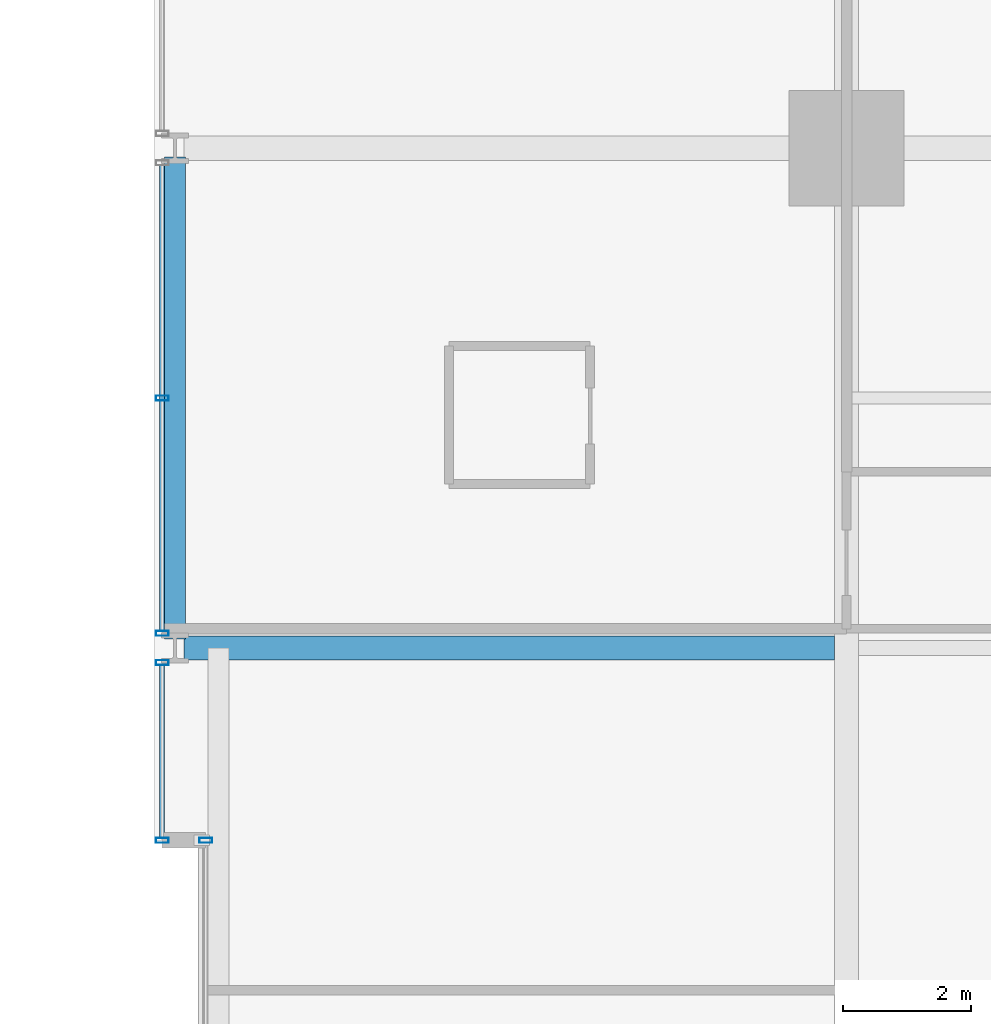
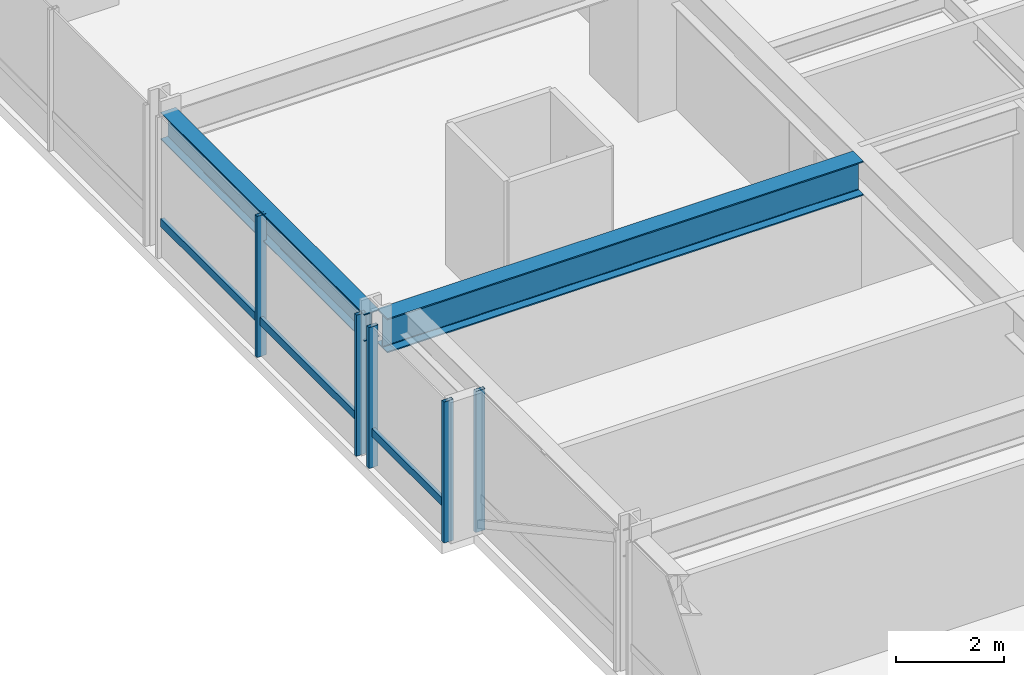
# One storey, part 17 of 37: 7 members, 2 beams, 3 elements without a shape of their own.
"""IFC4 building model written with IfcOpenShell, lengths in metres."""

import ifcopenshell
import ifcopenshell.guid

model = None  # the IFC model being written
_history = None  # IfcOwnerHistory: only IFC2X3 demands one
_inside = {}  # id of a spatial element -> (the spatial element, [elements in it])
_under = {}  # id of a project, library or spatial element -> (it, [spatial elements below it])
_declared = {}  # id of a project -> (the project, [libraries it declares])
_typed = {}  # id of a type object -> (the type object, [elements of that type])
_made_of = {}  # id of a material, layer set ... -> (it, [elements and type objects made of it])


def new_model(schema):
    """Start an empty IFC model of exactly this schema.

    Asked for "IFC4X3", IfcOpenShell would pick the latest addendum, in which some entities
    have other attributes; the version numbers below select the first issue.
    IFC2X3 requires an IfcOwnerHistory on every rooted entity: one is made here for all.
    """
    global model, _history
    if schema == "IFC4X3":
        model = ifcopenshell.file(schema_version=(4, 3, 0, 0))
    else:
        model = ifcopenshell.file(schema=schema)
    _inside.clear()
    _under.clear()
    _declared.clear()
    _typed.clear()
    _made_of.clear()
    _history = None
    if model.schema == "IFC2X3":
        org = make("IfcOrganization", Name="unknown")
        user = make(
            "IfcPersonAndOrganization",
            ThePerson=make("IfcPerson", FamilyName="unknown"),
            TheOrganization=org,
        )
        app = make(
            "IfcApplication",
            ApplicationDeveloper=org,
            Version="unknown",
            ApplicationFullName="unknown",
            ApplicationIdentifier="unknown",
        )
        _history = make(
            "IfcOwnerHistory",
            OwningUser=user,
            OwningApplication=app,
            ChangeAction="ADDED",
            CreationDate=0,
        )
    return model


def make(cls, **values):
    """One entity of the class cls with the attributes given. An attribute that is None is left unset."""
    return model.create_entity(
        cls, **{name: value for name, value in values.items() if value is not None}
    )


def rooted(cls, **values):
    """An entity with a GlobalId (a new one), such as an element, a storey or a relation."""
    return make(cls, GlobalId=ifcopenshell.guid.new(), OwnerHistory=_history, **values)


def si_unit(unit_type, name, prefix=None):
    """IfcSIUnit, for example si_unit("LENGTHUNIT", "METRE", prefix="MILLI")."""
    return make("IfcSIUnit", UnitType=unit_type, Prefix=prefix, Name=name)


def assignment(units):
    """IfcUnitAssignment: the units of a project."""
    return None if units is None else make("IfcUnitAssignment", Units=units)


def point(xyz):
    """IfcCartesianPoint."""
    return None if xyz is None else make("IfcCartesianPoint", Coordinates=xyz)


def direction(xyz):
    """IfcDirection."""
    return None if xyz is None else make("IfcDirection", DirectionRatios=xyz)


def frame(location, z_axis=None, x_axis=None):
    """IfcAxis2Placement3D, a coordinate frame: its origin and axes. An axis left out is left unset."""
    return make(
        "IfcAxis2Placement3D",
        Location=point(location),
        Axis=direction(z_axis),
        RefDirection=direction(x_axis),
    )


def frame_2d(location, x_axis=None):
    """IfcAxis2Placement2D, a coordinate frame in the plane: its origin and x axis."""
    return make(
        "IfcAxis2Placement2D", Location=point(location), RefDirection=direction(x_axis)
    )


def origin():
    """The frame at (0, 0, 0) with its axes left unset."""
    return frame((0.0, 0.0, 0.0))


def origin_2d():
    """The frame at (0, 0) in the plane with its x axis left unset."""
    return frame_2d((0.0, 0.0))


def place(relative_to, where):
    """IfcLocalPlacement: puts the frame where relative to a parent placement (None: the world)."""
    return make(
        "IfcLocalPlacement", PlacementRelTo=relative_to, RelativePlacement=where
    )


def context(
    kind, dimensions, precision=None, world=None, true_north=None, identifier=None
):
    """IfcGeometricRepresentationContext, for example the 3D "Model" context."""
    return make(
        "IfcGeometricRepresentationContext",
        ContextIdentifier=identifier,
        ContextType=kind,
        CoordinateSpaceDimension=dimensions,
        Precision=precision,
        WorldCoordinateSystem=world,
        TrueNorth=true_north,
    )


def subcontext(parent, identifier, kind, view, scale=None):
    """IfcGeometricRepresentationSubContext, for example "Body" below "Model"."""
    return make(
        "IfcGeometricRepresentationSubContext",
        ContextIdentifier=identifier,
        ContextType=kind,
        ParentContext=parent,
        TargetScale=scale,
        TargetView=view,
    )


def project(units=None, contexts=None):
    """IfcProject with its units and contexts."""
    return rooted(
        "IfcProject",
        Name="project",
        RepresentationContexts=contexts,
        UnitsInContext=assignment(units),
    )


def spatial(cls, under=None, at=None, **own):
    """A site, building, storey or space (cls), placed at a placement, below another one or the project."""
    s = rooted(cls, ObjectPlacement=at, **own)
    if under is not None:
        _under.setdefault(under.id(), (under, []))[1].append(s)
    return s


def profile(cls, at=None, kind="AREA", **sizes):
    """A parametric profile (cls). Its sizes go by their IFC names, for example OverallWidth=200.0."""
    return make(cls, ProfileType=kind, Position=at, **sizes)


def hollow_rectangle(**sizes):
    """IfcRectangleHollowProfileDef."""
    return profile("IfcRectangleHollowProfileDef", **sizes)


def i_section(**sizes):
    """IfcIShapeProfileDef."""
    return profile("IfcIShapeProfileDef", **sizes)


def extrude(swept, where, along, depth):
    """IfcExtrudedAreaSolid: the profile swept, set in the frame where, extruded along a direction by depth."""
    return make(
        "IfcExtrudedAreaSolid",
        SweptArea=swept,
        Position=where,
        ExtrudedDirection=direction(along),
        Depth=depth,
    )


def shape(context_of_items, identifier, shape_type, items):
    """IfcShapeRepresentation: the items that make up one representation, for example the "Body"."""
    return make(
        "IfcShapeRepresentation",
        ContextOfItems=context_of_items,
        RepresentationIdentifier=identifier,
        RepresentationType=shape_type,
        Items=items,
    )


def material(Name=None, Category=None):
    """IfcMaterial."""
    return make("IfcMaterial", Name=Name, Category=Category)


def layer(
    of_material, thickness, ventilated=None, Name=None, Category=None, Priority=None
):
    """IfcMaterialLayer: one layer of a wall or slab, of a material (None: an air gap)."""
    return make(
        "IfcMaterialLayer",
        Material=of_material,
        LayerThickness=thickness,
        IsVentilated=ventilated,
        Name=Name,
        Category=Category,
        Priority=Priority,
    )


def layer_set(layers, Name=None):
    """IfcMaterialLayerSet."""
    return make("IfcMaterialLayerSet", MaterialLayers=layers, LayerSetName=Name)


def material_profile(
    of_material, cross_section, Name=None, Category=None, Priority=None
):
    """IfcMaterialProfile: a cross section and its material."""
    return make(
        "IfcMaterialProfile",
        Name=Name,
        Material=of_material,
        Profile=cross_section,
        Priority=Priority,
        Category=Category,
    )


def profile_set(profiles, Name=None, composite=None):
    """IfcMaterialProfileSet."""
    return make(
        "IfcMaterialProfileSet",
        Name=Name,
        MaterialProfiles=profiles,
        CompositeProfile=composite,
    )


def made_of(thing, what):
    """Note that an element or type object is made of a material, layer set ...; save() writes the relation."""
    if what is not None:
        _made_of.setdefault(what.id(), (what, []))[1].append(thing)
    return thing


def type_object(cls, material=None, **own):
    """A type object (cls), such as IfcWallType, which elements share."""
    return made_of(rooted(cls, **own), material)


def element(
    cls,
    number,
    at=None,
    inside=None,
    cuts=None,
    type_object=None,
    material=None,
    context=None,
    identifier="Body",
    shape_type=None,
    held_by="IfcProductDefinitionShape",
    body=None,
    shapes=None,
    **own,
):
    """One element of the class cls, such as IfcWall. Its Tag is "e" and its number.

    at: its placement. inside: the storey or other place that contains it. cuts: it is an
    opening in that element (IfcRelVoidsElement). A single representation is given by context,
    identifier, shape_type and body (its items); several are given by shapes. held_by: the class
    of the entity that holds the representations. save() writes the other relations.
    """
    e = rooted(cls, Tag="e%d" % number, ObjectPlacement=at, **own)
    if body is not None:
        shapes = [shape(context, identifier, shape_type, body)]
    if shapes is not None:
        e.Representation = make(held_by, Representations=shapes)
    if inside is not None:
        _inside.setdefault(inside.id(), (inside, []))[1].append(e)
    if cuts is not None:
        rooted(
            "IfcRelVoidsElement", RelatingBuildingElement=cuts, RelatedOpeningElement=e
        )
    if type_object is not None:
        _typed.setdefault(type_object.id(), (type_object, []))[1].append(e)
    return made_of(e, material)


def aggregate(whole, parts):
    """IfcRelAggregates: a whole, such as a stair, and the parts it consists of."""
    return rooted("IfcRelAggregates", RelatingObject=whole, RelatedObjects=parts)


def save(model, path):
    """Write the relations noted so far, then the file.

    IfcRelAggregates (storeys below a building ...), IfcRelContainedInSpatialStructure (elements
    in a storey), IfcRelDefinesByType, IfcRelAssociatesMaterial and IfcRelDeclares: one each for
    every whole, place, type object, material and project.
    """
    for whole, parts in _under.values():
        aggregate(whole, parts)
    for where, things in _inside.values():
        rooted(
            "IfcRelContainedInSpatialStructure",
            RelatedElements=things,
            RelatingStructure=where,
        )
    for kind, things in _typed.values():
        rooted("IfcRelDefinesByType", RelatedObjects=things, RelatingType=kind)
    for what, things in _made_of.values():
        rooted("IfcRelAssociatesMaterial", RelatedObjects=things, RelatingMaterial=what)
    for by, libraries in _declared.values():
        rooted("IfcRelDeclares", RelatingContext=by, RelatedDefinitions=libraries)
    model.write(path)


model = new_model("IFC4")

# Units and contexts
model_context = context("Model", 3, precision=1e-05, world=origin(), true_north=direction((0.0, 1.0)))
body_context = subcontext(model_context, "Body", "Model", "MODEL_VIEW")
ifc_project = project(units=[si_unit("LENGTHUNIT", "METRE"), si_unit("AREAUNIT", "SQUARE_METRE"), si_unit("VOLUMEUNIT", "CUBIC_METRE"), si_unit("PLANEANGLEUNIT", "RADIAN"), si_unit("MASSUNIT", "GRAM", prefix="KILO")], contexts=[model_context])

# Site, building, storey
site_placement = place(None, origin())
site = spatial("IfcSite", under=ifc_project, at=site_placement, CompositionType="ELEMENT")
building_placement = place(site_placement, origin())
building = spatial("IfcBuilding", under=site, at=building_placement, Name="Drelvath Grand Hotel", CompositionType="ELEMENT")
storey_placement = place(building_placement, frame((0.0, 0.0, 78.699951171875)))
storey = spatial("IfcBuildingStorey", under=building, at=storey_placement, Name="L19", CompositionType="ELEMENT", Elevation=78.699951171875)

# Curtain wall, member
ifc_material_1 = material(Name="Warm Bronze Anodised Aluminium Frame", Category="aluminium")
ifc_layer = layer(ifc_material_1, 0.199951171875)
ifc_layer_set = layer_set([ifc_layer], Name="Warm Bronze Anodised Aluminium Frame")
curtain_wall_type = type_object("IfcCurtainWallType", Name="Stick Curtain Wall CW-02 Warm Bronze Low-Rise", PredefinedType="NOTDEFINED", material=ifc_layer_set)
curtain_wall_1_placement = place(storey_placement, origin())
curtain_wall_1 = element("IfcCurtainWall", 1, at=curtain_wall_1_placement, inside=storey, type_object=curtain_wall_type, Name="L19 CW-02 Curtain Wall CW02-L19-WN1", PredefinedType="NOTDEFINED")
ifc_material_profile_1 = material_profile(ifc_material_1, hollow_rectangle(XDim=0.074951171875, YDim=0.179931640625, WallThickness=0.0048828125, at=origin_2d()), Name="HSS180X75X5")
ifc_profile_set_1 = profile_set([ifc_material_profile_1], Name="Warm Bronze Anodised Aluminium Frame")
member_type_1 = type_object("IfcMemberType", Name="Curtain Wall Horizontal Transom CW-02 HSS180X75X5", PredefinedType="USERDEFINED", material=ifc_profile_set_1)
member_1_placement = place(storey_placement, frame((-26.8798828125, 32.43994140625, 0.795166015625), z_axis=(0.0, 1.0, 0.0), x_axis=(-1.0, 0.0, 0.0)))
member_1 = element("IfcMember", 2, at=member_1_placement, type_object=member_type_1, Name="CW02-L19-WN1 Sill Transom", ObjectType="TRANSOM", PredefinedType="USERDEFINED", context=body_context, shape_type="SweptSolid", body=[
    extrude(hollow_rectangle(XDim=0.074951171875, YDim=0.179931640625, WallThickness=0.0048828125, at=origin_2d()), origin(), (0.0, 0.0, 1.0), 2.69091796875),
])

curtain_wall_2_placement = place(storey_placement, origin())
curtain_wall_2 = element("IfcCurtainWall", 3, at=curtain_wall_2_placement, inside=storey, type_object=curtain_wall_type, Name="L19 CW-02 Curtain Wall CW02-L19-WN2", PredefinedType="NOTDEFINED")
member_2_placement = place(storey_placement, frame((-26.8798828125, 35.669189453125, 0.795166015625), z_axis=(0.0, 1.0, 0.0), x_axis=(-1.0, 0.0, 0.0)))
member_2 = element("IfcMember", 4, at=member_2_placement, type_object=member_type_1, Name="CW02-L19-WN2 Sill Transom", ObjectType="TRANSOM", PredefinedType="USERDEFINED", context=body_context, shape_type="SweptSolid", body=[
    extrude(hollow_rectangle(XDim=0.074951171875, YDim=0.179931640625, WallThickness=0.0048828125, at=origin_2d()), origin(), (0.0, 0.0, 1.0), 7.26171875),
])

curtain_wall_3_placement = place(storey_placement, origin())
curtain_wall_3 = element("IfcCurtainWall", 5, at=curtain_wall_3_placement, inside=storey, type_object=curtain_wall_type, Name="L19 CW-02 Curtain Wall CW02-L19-WM2", PredefinedType="NOTDEFINED")
ifc_material_profile_2 = material_profile(ifc_material_1, hollow_rectangle(XDim=0.080078125, YDim=0.199951171875, WallThickness=0.0048828125, at=origin_2d()), Name="HSS200X80X5")
ifc_profile_set_2 = profile_set([ifc_material_profile_2], Name="Warm Bronze Anodised Aluminium Frame")
member_type_2 = type_object("IfcMemberType", Name="Curtain Wall Vertical Mullion CW-02 HSS200X80X5", PredefinedType="MULLION", material=ifc_profile_set_2)
member_3_placement = place(storey_placement, frame((-26.199951171875, 32.39990234375, 0.0), z_axis=(0.0, 0.0, 1.0), x_axis=(0.0, 1.0, 0.0)))
member_3 = element("IfcMember", 6, at=member_3_placement, type_object=member_type_2, Name="CW02-L19-WM2 Mullion 2", PredefinedType="MULLION", context=body_context, shape_type="SweptSolid", body=[
    extrude(hollow_rectangle(XDim=0.080078125, YDim=0.199951171875, WallThickness=0.0048828125, at=origin_2d()), origin(), (0.0, 0.0, 1.0), 3.179931640625),
])
aggregate(curtain_wall_3, [member_3])

# Member
member_4_placement = place(storey_placement, frame((-26.8798828125, 32.39990234375, 0.0), z_axis=(0.0, 0.0, 1.0), x_axis=(0.0, 1.0, 0.0)))
member_4 = element("IfcMember", 7, at=member_4_placement, type_object=member_type_2, Name="CW02-L19-WN1 Mullion 1", PredefinedType="MULLION", context=body_context, shape_type="SweptSolid", body=[
    extrude(hollow_rectangle(XDim=0.080078125, YDim=0.199951171875, WallThickness=0.0048828125, at=origin_2d()), origin(), (0.0, 0.0, 1.0), 3.179931640625),
])

member_5_placement = place(storey_placement, frame((-26.8798828125, 35.1708984375, 0.0), z_axis=(0.0, 0.0, 1.0), x_axis=(0.0, 1.0, 0.0)))
member_5 = element("IfcMember", 8, at=member_5_placement, type_object=member_type_2, Name="CW02-L19-WN1 Mullion 2", PredefinedType="MULLION", context=body_context, shape_type="SweptSolid", body=[
    extrude(hollow_rectangle(XDim=0.080078125, YDim=0.199951171875, WallThickness=0.0048828125, at=origin_2d()), origin(), (0.0, 0.0, 1.0), 3.179931640625),
])

aggregate(curtain_wall_1, [member_4, member_5, member_1])

member_6_placement = place(storey_placement, frame((-26.8798828125, 35.629150390625, 0.0), z_axis=(0.0, 0.0, 1.0), x_axis=(0.0, 1.0, 0.0)))
member_6 = element("IfcMember", 9, at=member_6_placement, type_object=member_type_2, Name="CW02-L19-WN2 Mullion 1", PredefinedType="MULLION", context=body_context, shape_type="SweptSolid", body=[
    extrude(hollow_rectangle(XDim=0.080078125, YDim=0.199951171875, WallThickness=0.0048828125, at=origin_2d()), origin(), (0.0, 0.0, 1.0), 3.179931640625),
])

member_7_placement = place(storey_placement, frame((-26.8798828125, 39.300048828125, 0.0), z_axis=(0.0, 0.0, 1.0), x_axis=(0.0, 1.0, 0.0)))
member_7 = element("IfcMember", 10, at=member_7_placement, type_object=member_type_2, Name="CW02-L19-WN2 Mullion 2", PredefinedType="MULLION", context=body_context, shape_type="SweptSolid", body=[
    extrude(hollow_rectangle(XDim=0.080078125, YDim=0.199951171875, WallThickness=0.0048828125, at=origin_2d()), origin(), (0.0, 0.0, 1.0), 3.179931640625),
])

aggregate(curtain_wall_2, [member_6, member_7, member_2])

# Beams
ifc_material_2 = material(Name="Steel ASTM A992 Gr 50", Category="steel")
ifc_material_profile_3 = material_profile(ifc_material_2, i_section(OverallWidth=0.323974609375, OverallDepth=0.611083984375, WebThickness=0.0126953125, FlangeThickness=0.01904296875, FilletRadius=0.02197265625, at=origin_2d()), Name="W24X104")
ifc_profile_set_3 = profile_set([ifc_material_profile_3], Name="Steel ASTM A992 Gr 50")
beam_type_1 = type_object("IfcBeamType", Name="Perimeter Spandrel Beam W24X104", PredefinedType="SPANDREL", material=ifc_profile_set_3)
beam_1_placement = place(storey_placement, frame((-26.679931640625, 35.5400390625, 2.87451171875), z_axis=(0.0, 1.0, 0.0), x_axis=(-1.0, 0.0, 0.0)))
element("IfcBeam", 11, at=beam_1_placement, inside=storey, type_object=beam_type_1, Name="L19 Spandrel West N", PredefinedType="SPANDREL", context=body_context, shape_type="SweptSolid", body=[
    extrude(i_section(OverallWidth=0.323974609375, OverallDepth=0.611083984375, WebThickness=0.0126953125, FlangeThickness=0.01904296875, FilletRadius=0.02197265625, at=origin_2d()), origin(), (0.0, 0.0, 1.0), 7.52001953125),
])
ifc_material_profile_4 = material_profile(ifc_material_2, i_section(OverallWidth=0.380615234375, OverallDepth=0.773193359375, WebThickness=0.0166015625, FlangeThickness=0.027099609375, FilletRadius=0.02490234375, at=origin_2d()), Name="W30X173")
ifc_profile_set_4 = profile_set([ifc_material_profile_4], Name="Steel ASTM A992 Gr 50")
beam_type_2 = type_object("IfcBeamType", Name="Primary Floor Girder W30X173", PredefinedType="BEAM", material=ifc_profile_set_4)
beam_2_placement = place(storey_placement, frame((-26.5400390625, 35.39990234375, 2.79345703125), z_axis=(1.0, 0.0, 0.0), x_axis=(0.0, 1.0, 0.0)))
element("IfcBeam", 12, at=beam_2_placement, inside=storey, type_object=beam_type_2, Name="L19 West Wing Girder F", PredefinedType="BEAM", context=body_context, shape_type="SweptSolid", body=[
    extrude(i_section(OverallWidth=0.380615234375, OverallDepth=0.773193359375, WebThickness=0.0166015625, FlangeThickness=0.027099609375, FilletRadius=0.02490234375, at=origin_2d()), origin(), (0.0, 0.0, 1.0), 10.149658203125),
])

save(model, "model.ifc")
